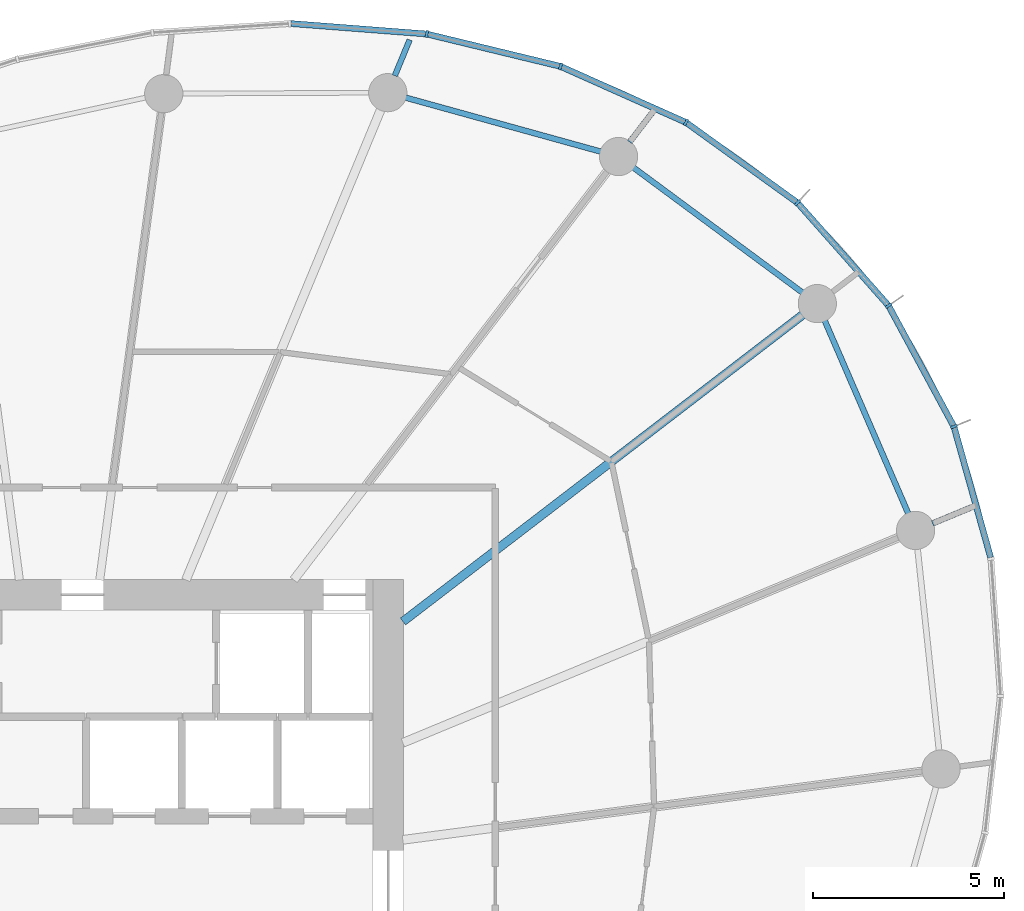
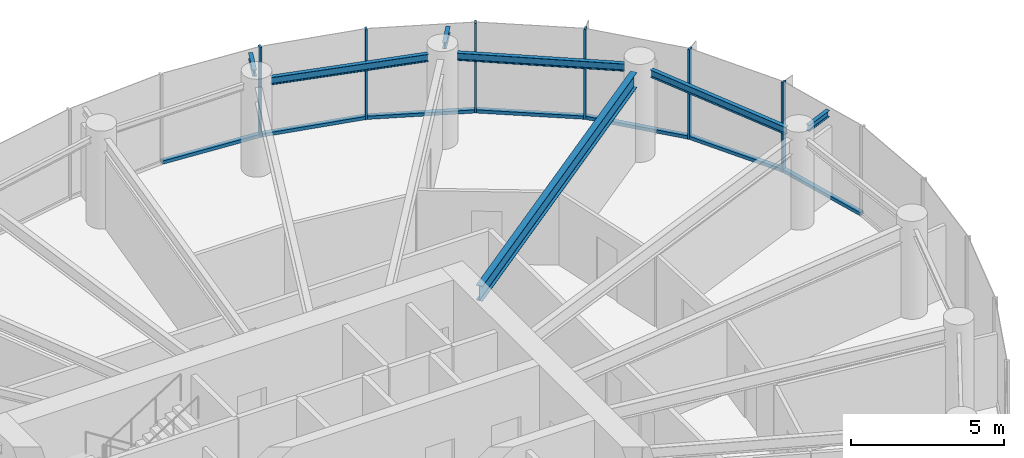
# One storey, part 6 of 14: 13 members, 7 beams, 2 elements without a shape of their own.
"""IFC4 building model written with IfcOpenShell, lengths in metres."""

import ifcopenshell
import ifcopenshell.guid

model = None  # the IFC model being written
_history = None  # IfcOwnerHistory: only IFC2X3 demands one
_inside = {}  # id of a spatial element -> (the spatial element, [elements in it])
_under = {}  # id of a project, library or spatial element -> (it, [spatial elements below it])
_declared = {}  # id of a project -> (the project, [libraries it declares])
_typed = {}  # id of a type object -> (the type object, [elements of that type])
_made_of = {}  # id of a material, layer set ... -> (it, [elements and type objects made of it])


def new_model(schema):
    """Start an empty IFC model of exactly this schema.

    Asked for "IFC4X3", IfcOpenShell would pick the latest addendum, in which some entities
    have other attributes; the version numbers below select the first issue.
    IFC2X3 requires an IfcOwnerHistory on every rooted entity: one is made here for all.
    """
    global model, _history
    if schema == "IFC4X3":
        model = ifcopenshell.file(schema_version=(4, 3, 0, 0))
    else:
        model = ifcopenshell.file(schema=schema)
    _inside.clear()
    _under.clear()
    _declared.clear()
    _typed.clear()
    _made_of.clear()
    _history = None
    if model.schema == "IFC2X3":
        org = make("IfcOrganization", Name="unknown")
        user = make(
            "IfcPersonAndOrganization",
            ThePerson=make("IfcPerson", FamilyName="unknown"),
            TheOrganization=org,
        )
        app = make(
            "IfcApplication",
            ApplicationDeveloper=org,
            Version="unknown",
            ApplicationFullName="unknown",
            ApplicationIdentifier="unknown",
        )
        _history = make(
            "IfcOwnerHistory",
            OwningUser=user,
            OwningApplication=app,
            ChangeAction="ADDED",
            CreationDate=0,
        )
    return model


def make(cls, **values):
    """One entity of the class cls with the attributes given. An attribute that is None is left unset."""
    return model.create_entity(
        cls, **{name: value for name, value in values.items() if value is not None}
    )


def rooted(cls, **values):
    """An entity with a GlobalId (a new one), such as an element, a storey or a relation."""
    return make(cls, GlobalId=ifcopenshell.guid.new(), OwnerHistory=_history, **values)


def si_unit(unit_type, name, prefix=None):
    """IfcSIUnit, for example si_unit("LENGTHUNIT", "METRE", prefix="MILLI")."""
    return make("IfcSIUnit", UnitType=unit_type, Prefix=prefix, Name=name)


def assignment(units):
    """IfcUnitAssignment: the units of a project."""
    return None if units is None else make("IfcUnitAssignment", Units=units)


def point(xyz):
    """IfcCartesianPoint."""
    return None if xyz is None else make("IfcCartesianPoint", Coordinates=xyz)


def direction(xyz):
    """IfcDirection."""
    return None if xyz is None else make("IfcDirection", DirectionRatios=xyz)


def frame(location, z_axis=None, x_axis=None):
    """IfcAxis2Placement3D, a coordinate frame: its origin and axes. An axis left out is left unset."""
    return make(
        "IfcAxis2Placement3D",
        Location=point(location),
        Axis=direction(z_axis),
        RefDirection=direction(x_axis),
    )


def frame_2d(location, x_axis=None):
    """IfcAxis2Placement2D, a coordinate frame in the plane: its origin and x axis."""
    return make(
        "IfcAxis2Placement2D", Location=point(location), RefDirection=direction(x_axis)
    )


def origin():
    """The frame at (0, 0, 0) with its axes left unset."""
    return frame((0.0, 0.0, 0.0))


def origin_2d():
    """The frame at (0, 0) in the plane with its x axis left unset."""
    return frame_2d((0.0, 0.0))


def place(relative_to, where):
    """IfcLocalPlacement: puts the frame where relative to a parent placement (None: the world)."""
    return make(
        "IfcLocalPlacement", PlacementRelTo=relative_to, RelativePlacement=where
    )


def context(
    kind, dimensions, precision=None, world=None, true_north=None, identifier=None
):
    """IfcGeometricRepresentationContext, for example the 3D "Model" context."""
    return make(
        "IfcGeometricRepresentationContext",
        ContextIdentifier=identifier,
        ContextType=kind,
        CoordinateSpaceDimension=dimensions,
        Precision=precision,
        WorldCoordinateSystem=world,
        TrueNorth=true_north,
    )


def subcontext(parent, identifier, kind, view, scale=None):
    """IfcGeometricRepresentationSubContext, for example "Body" below "Model"."""
    return make(
        "IfcGeometricRepresentationSubContext",
        ContextIdentifier=identifier,
        ContextType=kind,
        ParentContext=parent,
        TargetScale=scale,
        TargetView=view,
    )


def project(units=None, contexts=None):
    """IfcProject with its units and contexts."""
    return rooted(
        "IfcProject",
        Name="project",
        RepresentationContexts=contexts,
        UnitsInContext=assignment(units),
    )


def spatial(cls, under=None, at=None, **own):
    """A site, building, storey or space (cls), placed at a placement, below another one or the project."""
    s = rooted(cls, ObjectPlacement=at, **own)
    if under is not None:
        _under.setdefault(under.id(), (under, []))[1].append(s)
    return s


def profile(cls, at=None, kind="AREA", **sizes):
    """A parametric profile (cls). Its sizes go by their IFC names, for example OverallWidth=200.0."""
    return make(cls, ProfileType=kind, Position=at, **sizes)


def rectangle(**sizes):
    """IfcRectangleProfileDef."""
    return profile("IfcRectangleProfileDef", **sizes)


def i_section(**sizes):
    """IfcIShapeProfileDef."""
    return profile("IfcIShapeProfileDef", **sizes)


def extrude(swept, where, along, depth):
    """IfcExtrudedAreaSolid: the profile swept, set in the frame where, extruded along a direction by depth."""
    return make(
        "IfcExtrudedAreaSolid",
        SweptArea=swept,
        Position=where,
        ExtrudedDirection=direction(along),
        Depth=depth,
    )


def shape(context_of_items, identifier, shape_type, items):
    """IfcShapeRepresentation: the items that make up one representation, for example the "Body"."""
    return make(
        "IfcShapeRepresentation",
        ContextOfItems=context_of_items,
        RepresentationIdentifier=identifier,
        RepresentationType=shape_type,
        Items=items,
    )


def source(mapping_origin, context_of_items, identifier, shape_type, items):
    """IfcRepresentationMap: a shape defined once, which mapped items show again and again."""
    return make(
        "IfcRepresentationMap",
        MappingOrigin=mapping_origin,
        MappedRepresentation=shape(context_of_items, identifier, shape_type, items),
    )


def transform(
    local_origin,
    x_axis=None,
    y_axis=None,
    z_axis=None,
    scale=None,
    scale2=None,
    scale3=None,
    uniform=True,
):
    """IfcCartesianTransformationOperator3D, or its non-uniform kind. x_axis, y_axis, z_axis: its Axis1, 2, 3."""
    if uniform:
        return make(
            "IfcCartesianTransformationOperator3D",
            Axis1=direction(x_axis),
            Axis2=direction(y_axis),
            LocalOrigin=point(local_origin),
            Scale=scale,
            Axis3=direction(z_axis),
        )
    return make(
        "IfcCartesianTransformationOperator3DnonUniform",
        Axis1=direction(x_axis),
        Axis2=direction(y_axis),
        LocalOrigin=point(local_origin),
        Scale=scale,
        Axis3=direction(z_axis),
        Scale2=scale2,
        Scale3=scale3,
    )


def mapped(mapping_source, mapping_target):
    """IfcMappedItem: shows the shape of a source again, moved by a transform."""
    return make(
        "IfcMappedItem", MappingSource=mapping_source, MappingTarget=mapping_target
    )


def material(Name=None, Category=None):
    """IfcMaterial."""
    return make("IfcMaterial", Name=Name, Category=Category)


def layer(
    of_material, thickness, ventilated=None, Name=None, Category=None, Priority=None
):
    """IfcMaterialLayer: one layer of a wall or slab, of a material (None: an air gap)."""
    return make(
        "IfcMaterialLayer",
        Material=of_material,
        LayerThickness=thickness,
        IsVentilated=ventilated,
        Name=Name,
        Category=Category,
        Priority=Priority,
    )


def layer_set(layers, Name=None):
    """IfcMaterialLayerSet."""
    return make("IfcMaterialLayerSet", MaterialLayers=layers, LayerSetName=Name)


def material_profile(
    of_material, cross_section, Name=None, Category=None, Priority=None
):
    """IfcMaterialProfile: a cross section and its material."""
    return make(
        "IfcMaterialProfile",
        Name=Name,
        Material=of_material,
        Profile=cross_section,
        Priority=Priority,
        Category=Category,
    )


def profile_set(profiles, Name=None, composite=None):
    """IfcMaterialProfileSet."""
    return make(
        "IfcMaterialProfileSet",
        Name=Name,
        MaterialProfiles=profiles,
        CompositeProfile=composite,
    )


def made_of(thing, what):
    """Note that an element or type object is made of a material, layer set ...; save() writes the relation."""
    if what is not None:
        _made_of.setdefault(what.id(), (what, []))[1].append(thing)
    return thing


def type_object(cls, material=None, **own):
    """A type object (cls), such as IfcWallType, which elements share."""
    return made_of(rooted(cls, **own), material)


def element(
    cls,
    number,
    at=None,
    inside=None,
    cuts=None,
    type_object=None,
    material=None,
    context=None,
    identifier="Body",
    shape_type=None,
    held_by="IfcProductDefinitionShape",
    body=None,
    shapes=None,
    **own,
):
    """One element of the class cls, such as IfcWall. Its Tag is "e" and its number.

    at: its placement. inside: the storey or other place that contains it. cuts: it is an
    opening in that element (IfcRelVoidsElement). A single representation is given by context,
    identifier, shape_type and body (its items); several are given by shapes. held_by: the class
    of the entity that holds the representations. save() writes the other relations.
    """
    e = rooted(cls, Tag="e%d" % number, ObjectPlacement=at, **own)
    if body is not None:
        shapes = [shape(context, identifier, shape_type, body)]
    if shapes is not None:
        e.Representation = make(held_by, Representations=shapes)
    if inside is not None:
        _inside.setdefault(inside.id(), (inside, []))[1].append(e)
    if cuts is not None:
        rooted(
            "IfcRelVoidsElement", RelatingBuildingElement=cuts, RelatedOpeningElement=e
        )
    if type_object is not None:
        _typed.setdefault(type_object.id(), (type_object, []))[1].append(e)
    return made_of(e, material)


def aggregate(whole, parts):
    """IfcRelAggregates: a whole, such as a stair, and the parts it consists of."""
    return rooted("IfcRelAggregates", RelatingObject=whole, RelatedObjects=parts)


def save(model, path):
    """Write the relations noted so far, then the file.

    IfcRelAggregates (storeys below a building ...), IfcRelContainedInSpatialStructure (elements
    in a storey), IfcRelDefinesByType, IfcRelAssociatesMaterial and IfcRelDeclares: one each for
    every whole, place, type object, material and project.
    """
    for whole, parts in _under.values():
        aggregate(whole, parts)
    for where, things in _inside.values():
        rooted(
            "IfcRelContainedInSpatialStructure",
            RelatedElements=things,
            RelatingStructure=where,
        )
    for kind, things in _typed.values():
        rooted("IfcRelDefinesByType", RelatedObjects=things, RelatingType=kind)
    for what, things in _made_of.values():
        rooted("IfcRelAssociatesMaterial", RelatedObjects=things, RelatingMaterial=what)
    for by, libraries in _declared.values():
        rooted("IfcRelDeclares", RelatingContext=by, RelatedDefinitions=libraries)
    model.write(path)


model = new_model("IFC4")

# Units and contexts
model_context = context("Model", 3, precision=1e-05, world=origin(), true_north=direction((0.0, 1.0)))
body_context = subcontext(model_context, "Body", "Model", "MODEL_VIEW")
ifc_project = project(units=[si_unit("LENGTHUNIT", "METRE"), si_unit("AREAUNIT", "SQUARE_METRE"), si_unit("VOLUMEUNIT", "CUBIC_METRE"), si_unit("PLANEANGLEUNIT", "RADIAN"), si_unit("MASSUNIT", "GRAM", prefix="KILO")], contexts=[model_context])

# Site, building, storey
site_placement = place(None, origin())
site = spatial("IfcSite", under=ifc_project, at=site_placement, CompositionType="ELEMENT")
building_placement = place(site_placement, origin())
building = spatial("IfcBuilding", under=site, at=building_placement, Name="Spindrift Exchange Tower", CompositionType="ELEMENT")
storey_placement = place(building_placement, frame((0.0, 0.0, 164.300048828125)))
storey = spatial("IfcBuildingStorey", under=building, at=storey_placement, Name="L39", CompositionType="ELEMENT", Elevation=164.300048828125)

# Beams
ifc_material_1 = material(Name="Steel Grade 300", Category="steel")
ifc_material_profile_1 = material_profile(ifc_material_1, i_section(OverallWidth=0.14892578125, OverallDepth=0.298095703125, WebThickness=0.005615234375, FlangeThickness=0.008056640625, FilletRadius=0.012939453125, at=origin_2d()), Name="310UB32.0")
ifc_profile_set_1 = profile_set([ifc_material_profile_1], Name="Steel Grade 300")
beam_type_1 = type_object("IfcBeamType", Name="Edge Beam 310UB32.0 Steel Grade 300", PredefinedType="SPANDREL", material=ifc_profile_set_1)
shared_shape_1 = source(origin(), body_context, "Body", "SweptSolid", [
    extrude(i_section(OverallWidth=0.14892578125, OverallDepth=0.298095703125, WebThickness=0.005615234375, FlangeThickness=0.008056640625, FilletRadius=0.012939453125, at=origin_2d()), origin(), (0.0, 0.0, 1.0), 5.508544921875),
])
beam_1_placement = place(storey_placement, frame((74.205810546875, 57.717529296875, 3.430908203125), z_axis=(-0.397414644433, 0.917639144975, 0.0), x_axis=(-0.917639144975, -0.397414644433, 0.0)))
element("IfcBeam", 1, at=beam_1_placement, inside=storey, type_object=beam_type_1, Name="L39 edge beam E02", PredefinedType="SPANDREL", context=body_context, shape_type="MappedRepresentation", body=[
    mapped(shared_shape_1, transform((0.0, 0.0, 0.0), scale=1.0)),
])
shared_shape_2 = source(origin(), body_context, "Body", "SweptSolid", [
    extrude(i_section(OverallWidth=0.14892578125, OverallDepth=0.298095703125, WebThickness=0.005615234375, FlangeThickness=0.008056640625, FilletRadius=0.012939453125, at=origin_2d()), origin(), (0.0, 0.0, 1.0), 5.509033203125),
])
beam_2_placement = place(storey_placement, frame((71.43994140625, 63.498291015625, 3.430908203125), z_axis=(-0.803991901791, 0.594640245741, 0.0), x_axis=(-0.594640245741, -0.803991901791, 0.0)))
element("IfcBeam", 2, at=beam_2_placement, inside=storey, type_object=beam_type_1, Name="L39 edge beam E03", PredefinedType="SPANDREL", context=body_context, shape_type="MappedRepresentation", body=[
    mapped(shared_shape_2, transform((0.0, 0.0, 0.0), scale=1.0)),
])
shared_shape_3 = source(origin(), body_context, "Body", "SweptSolid", [
    extrude(i_section(OverallWidth=0.14892578125, OverallDepth=0.298095703125, WebThickness=0.005615234375, FlangeThickness=0.008056640625, FilletRadius=0.012939453125, at=origin_2d()), origin(), (0.0, 0.0, 1.0), 5.30517578125),
])
beam_3_placement = place(storey_placement, frame((66.162353515625, 67.1875, 3.430908203125), z_axis=(-0.963757513624, 0.26677978734, 0.0), x_axis=(-0.26677978734, -0.963757513624, 0.0)))
element("IfcBeam", 3, at=beam_3_placement, inside=storey, type_object=beam_type_1, Name="L39 edge beam E04", PredefinedType="SPANDREL", context=body_context, shape_type="MappedRepresentation", body=[
    mapped(shared_shape_3, transform((0.0, 0.0, 0.0), scale=1.0)),
])
ifc_material_profile_2 = material_profile(ifc_material_1, i_section(OverallWidth=0.22802734375, OverallDepth=0.60205078125, WebThickness=0.010498046875, FlangeThickness=0.014892578125, FilletRadius=0.013916015625, at=origin_2d()), Name="610UB101")
ifc_profile_set_2 = profile_set([ifc_material_profile_2], Name="Steel Grade 300")
beam_type_2 = type_object("IfcBeamType", Name="Floor Beam 610UB101 Steel Grade 300", PredefinedType="BEAM", material=ifc_profile_set_2)
shared_shape_4 = source(origin(), body_context, "Body", "SweptSolid", [
    extrude(i_section(OverallWidth=0.22802734375, OverallDepth=0.60205078125, WebThickness=0.010498046875, FlangeThickness=0.014892578125, FilletRadius=0.013916015625, at=origin_2d()), origin(), (0.0, 0.0, 1.0), 13.185546875),
])
beam_4_placement = place(storey_placement, frame((60.984130859375, 54.893798828125, 3.279052734375), z_axis=(0.793357156703, 0.608756455332, 0.0), x_axis=(-0.608756455332, 0.793357156703, 0.0)))
element("IfcBeam", 4, at=beam_4_placement, inside=storey, type_object=beam_type_2, Name="L39 radial beam R03A", PredefinedType="BEAM", context=body_context, shape_type="MappedRepresentation", body=[
    mapped(shared_shape_4, transform((0.0, 0.0, 0.0), scale=1.0)),
])
ifc_material_profile_3 = material_profile(ifc_material_1, i_section(OverallWidth=0.14599609375, OverallDepth=0.251953125, WebThickness=0.006103515625, FlangeThickness=0.008544921875, FilletRadius=0.011962890625, at=origin_2d()), Name="250UB31.4")
ifc_profile_set_3 = profile_set([ifc_material_profile_3], Name="Steel Grade 300")
beam_type_3 = type_object("IfcBeamType", Name="Cantilever Beam 250UB31.4 Steel Grade 300", PredefinedType="BEAM", material=ifc_profile_set_3)
shared_shape_5 = source(origin(), body_context, "Body", "SweptSolid", [
    extrude(i_section(OverallWidth=0.14599609375, OverallDepth=0.251953125, WebThickness=0.006103515625, FlangeThickness=0.008544921875, FilletRadius=0.011962890625, at=origin_2d()), origin(), (0.0, 0.0, 1.0), 1.092041015625),
])
beam_5_placement = place(storey_placement, frame((74.840087890625, 57.460693359375, 3.453857421875), z_axis=(0.923842410219, 0.382773041214, 0.0), x_axis=(-0.382773041214, 0.923842410219, 0.0)))
element("IfcBeam", 5, at=beam_5_placement, inside=storey, type_object=beam_type_3, Name="L39 cantilever beam R02T", PredefinedType="BEAM", context=body_context, shape_type="MappedRepresentation", body=[
    mapped(shared_shape_5, transform((0.0, 0.0, 0.0), scale=1.0)),
])
shared_shape_6 = source(origin(), body_context, "Body", "SweptSolid", [
    extrude(i_section(OverallWidth=0.14599609375, OverallDepth=0.251953125, WebThickness=0.006103515625, FlangeThickness=0.008544921875, FilletRadius=0.011962890625, at=origin_2d()), origin(), (0.0, 0.0, 1.0), 0.938232421875),
])
beam_6_placement = place(storey_placement, frame((66.9169921875, 67.440185546875, 3.453857421875), z_axis=(0.608666429763, 0.793426226741, 0.0), x_axis=(-0.793426226741, 0.608666429763, 0.0)))
element("IfcBeam", 6, at=beam_6_placement, inside=storey, type_object=beam_type_3, Name="L39 cantilever beam R04T", PredefinedType="BEAM", context=body_context, shape_type="MappedRepresentation", body=[
    mapped(shared_shape_6, transform((0.0, 0.0, 0.0), scale=1.0)),
])
shared_shape_7 = source(origin(), body_context, "Body", "SweptSolid", [
    extrude(i_section(OverallWidth=0.14599609375, OverallDepth=0.251953125, WebThickness=0.006103515625, FlangeThickness=0.008544921875, FilletRadius=0.011962890625, at=origin_2d()), origin(), (0.0, 0.0, 1.0), 1.015380859375),
])
beam_7_placement = place(storey_placement, frame((60.770751953125, 69.17431640625, 3.453857421875), z_axis=(0.382514591676, 0.923949450541, 0.0), x_axis=(-0.923949450541, 0.382514591676, 0.0)))
element("IfcBeam", 7, at=beam_7_placement, inside=storey, type_object=beam_type_3, Name="L39 cantilever beam R05T", PredefinedType="BEAM", context=body_context, shape_type="MappedRepresentation", body=[
    mapped(shared_shape_7, transform((0.0, 0.0, 0.0), scale=1.0)),
])

# Curtain wall, members
ifc_material_2 = material(Name="Fritted laminated glass with bronze frame", Category="glass")
ifc_layer = layer(ifc_material_2, 0.179931640625)
ifc_layer_set = layer_set([ifc_layer], Name="ZONE 3 BRONZE FRITTED WALL")
curtain_wall_type = type_object("IfcCurtainWallType", Name="ZONE 3 BRONZE FRITTED WALL", PredefinedType="NOTDEFINED", material=ifc_layer_set)
curtain_wall_1_placement = place(storey_placement, origin())
curtain_wall_1 = element("IfcCurtainWall", 8, at=curtain_wall_1_placement, inside=storey, type_object=curtain_wall_type, Name="L39 Zone 3 Bronze Fritted Wall run 1", PredefinedType="NOTDEFINED")
ifc_material_3 = material(Name="Bronze anodised aluminium", Category="aluminium")
ifc_material_profile_4 = material_profile(ifc_material_3, rectangle(XDim=0.070068359375, YDim=0.179931640625, at=origin_2d()), Name="ZONE 3 BRONZE FRITTED WALL MULLION 70X180")
ifc_profile_set_4 = profile_set([ifc_material_profile_4], Name="Bronze anodised aluminium")
member_type_1 = type_object("IfcMemberType", Name="ZONE 3 BRONZE FRITTED WALL MULLION 70X180", PredefinedType="MULLION", material=ifc_profile_set_4)
shared_shape_8 = source(origin(), body_context, "Body", "SweptSolid", [
    extrude(rectangle(XDim=0.070068359375, YDim=0.179931640625, at=origin_2d()), origin(), (0.0, 0.0, 1.0), 3.579833984375),
])
member_1_placement = place(storey_placement, frame((73.689697265625, 63.158203125, 0.0), z_axis=(0.0, 0.0, 1.0), x_axis=(-0.572837681891, 0.819668829592, 0.0)))
member_1 = element("IfcMember", 9, at=member_1_placement, type_object=member_type_1, Name="L39 mullion CW-3.1", PredefinedType="MULLION", context=body_context, shape_type="MappedRepresentation", body=[
    mapped(shared_shape_8, transform((0.0, 0.0, 0.0), scale=1.0)),
])
member_2_placement = place(storey_placement, frame((71.307373046875, 65.850341796875, 0.0), z_axis=(0.0, 0.0, 1.0), x_axis=(-0.741568278552, 0.6708774018, 0.0)))
member_2 = element("IfcMember", 10, at=member_2_placement, type_object=member_type_1, Name="L39 mullion CW-3.2", PredefinedType="MULLION", context=body_context, shape_type="MappedRepresentation", body=[
    mapped(shared_shape_8, transform((0.0, 0.0, 0.0), scale=1.0)),
])
member_3_placement = place(storey_placement, frame((68.39013671875, 67.952392578125, 0.0), z_axis=(0.0, 0.0, 1.0), x_axis=(-0.866734768855, 0.4987693259, 0.0)))
member_3 = element("IfcMember", 11, at=member_3_placement, type_object=member_type_1, Name="L39 mullion CW-3.3", PredefinedType="MULLION", context=body_context, shape_type="MappedRepresentation", body=[
    mapped(shared_shape_8, transform((0.0, 0.0, 0.0), scale=1.0)),
])
member_4_placement = place(storey_placement, frame((65.105712890625, 69.4189453125, 0.0), z_axis=(0.0, 0.0, 1.0), x_axis=(-0.946426134121, 0.322920381289, 0.0)))
member_4 = element("IfcMember", 12, at=member_4_placement, type_object=member_type_1, Name="L39 mullion CW-3.4", PredefinedType="MULLION", context=body_context, shape_type="MappedRepresentation", body=[
    mapped(shared_shape_8, transform((0.0, 0.0, 0.0), scale=1.0)),
])
member_5_placement = place(storey_placement, frame((61.60888671875, 70.26611328125, 0.0), z_axis=(0.0, 0.0, 1.0), x_axis=(-0.987672476724, 0.156534592734, 0.0)))
member_5 = element("IfcMember", 13, at=member_5_placement, type_object=member_type_1, Name="L39 mullion CW-3.5", PredefinedType="MULLION", context=body_context, shape_type="MappedRepresentation", body=[
    mapped(shared_shape_8, transform((0.0, 0.0, 0.0), scale=1.0)),
])

# Curtain wall, member
curtain_wall_2_placement = place(storey_placement, origin())
curtain_wall_2 = element("IfcCurtainWall", 14, at=curtain_wall_2_placement, inside=storey, type_object=curtain_wall_type, Name="L39 Zone 3 Bronze Fritted Wall run 7", PredefinedType="NOTDEFINED")
member_6_placement = place(storey_placement, frame((75.39892578125, 59.995849609375, 0.0), z_axis=(0.0, 0.0, 1.0), x_axis=(-0.375124264738, 0.926974533633, 0.0)))
member_6 = element("IfcMember", 15, at=member_6_placement, type_object=member_type_1, Name="L39 mullion CW-3.41", PredefinedType="MULLION", context=body_context, shape_type="MappedRepresentation", body=[
    mapped(shared_shape_8, transform((0.0, 0.0, 0.0), scale=1.0)),
])

# Member
ifc_material_profile_5 = material_profile(ifc_material_3, rectangle(XDim=0.159912109375, YDim=0.1298828125, at=origin_2d()), Name="ZONE 3 BRONZE FRITTED WALL TRANSOM 160X130")
ifc_profile_set_5 = profile_set([ifc_material_profile_5], Name="Bronze anodised aluminium")
member_type_2 = type_object("IfcMemberType", Name="ZONE 3 BRONZE FRITTED WALL TRANSOM 160X130", PredefinedType="USERDEFINED", material=ifc_profile_set_5)
shared_shape_9 = source(origin(), body_context, "Body", "SweptSolid", [
    extrude(rectangle(XDim=0.159912109375, YDim=0.1298828125, at=origin_2d()), origin(), (0.0, 0.0, 1.0), 3.529296875),
])
member_7_placement = place(storey_placement, frame((61.573974609375, 70.268798828125, 0.06494140625), z_axis=(-0.997058146714, 0.076648888265, 0.0), x_axis=(-0.076648888265, -0.997058146714, 0.0)))
member_7 = element("IfcMember", 16, at=member_7_placement, type_object=member_type_2, Name="L39 transom CW-3.5", ObjectType="TRANSOM", PredefinedType="USERDEFINED", context=body_context, shape_type="MappedRepresentation", body=[
    mapped(shared_shape_9, transform((0.0, 0.0, 0.0), scale=1.0)),
])

shared_shape_10 = source(origin(), body_context, "Body", "SweptSolid", [
    extrude(rectangle(XDim=0.159912109375, YDim=0.1298828125, at=origin_2d()), origin(), (0.0, 0.0, 1.0), 3.52490234375),
])
member_8_placement = place(storey_placement, frame((73.66650390625, 63.1845703125, 0.06494140625), z_axis=(-0.662711363024, 0.748874922346, 0.0), x_axis=(-0.748874922346, -0.662711363024, 0.0)))
member_8 = element("IfcMember", 17, at=member_8_placement, type_object=member_type_2, Name="L39 transom CW-3.1", ObjectType="TRANSOM", PredefinedType="USERDEFINED", context=body_context, shape_type="MappedRepresentation", body=[
    mapped(shared_shape_10, transform((0.0, 0.0, 0.0), scale=1.0)),
])

member_9_placement = place(storey_placement, frame((75.38232421875, 60.026611328125, 0.06494140625), z_axis=(-0.475495303664, 0.879718259554, 0.0), x_axis=(-0.879718259554, -0.475495303664, 0.0)))
member_9 = element("IfcMember", 18, at=member_9_placement, type_object=member_type_2, Name="L39 transom CW-3.41", ObjectType="TRANSOM", PredefinedType="USERDEFINED", context=body_context, shape_type="MappedRepresentation", body=[
    mapped(shared_shape_10, transform((0.0, 0.0, 0.0), scale=1.0)),
])

shared_shape_11 = source(origin(), body_context, "Body", "SweptSolid", [
    extrude(rectangle(XDim=0.159912109375, YDim=0.1298828125, at=origin_2d()), origin(), (0.0, 0.0, 1.0), 3.527099609375),
])
member_10_placement = place(storey_placement, frame((68.358154296875, 67.966552734375, 0.06494140625), z_axis=(-0.913082199694, 0.407775546842, 0.0), x_axis=(-0.407775546842, -0.913082199694, 0.0)))
member_10 = element("IfcMember", 19, at=member_10_placement, type_object=member_type_2, Name="L39 transom CW-3.3", ObjectType="TRANSOM", PredefinedType="USERDEFINED", context=body_context, shape_type="MappedRepresentation", body=[
    mapped(shared_shape_11, transform((0.0, 0.0, 0.0), scale=1.0)),
])

shared_shape_12 = source(origin(), body_context, "Body", "SweptSolid", [
    extrude(rectangle(XDim=0.159912109375, YDim=0.1298828125, at=origin_2d()), origin(), (0.0, 0.0, 1.0), 3.528076171875),
])
member_11_placement = place(storey_placement, frame((65.07177734375, 69.42724609375, 0.06494140625), z_axis=(-0.971895220029, 0.235413851089, 0.0), x_axis=(-0.235413851089, -0.971895220029, 0.0)))
member_11 = element("IfcMember", 20, at=member_11_placement, type_object=member_type_2, Name="L39 transom CW-3.4", ObjectType="TRANSOM", PredefinedType="USERDEFINED", context=body_context, shape_type="MappedRepresentation", body=[
    mapped(shared_shape_12, transform((0.0, 0.0, 0.0), scale=1.0)),
])

shared_shape_13 = source(origin(), body_context, "Body", "SweptSolid", [
    extrude(rectangle(XDim=0.159912109375, YDim=0.1298828125, at=origin_2d()), origin(), (0.0, 0.0, 1.0), 3.525634765625),
])
member_12_placement = place(storey_placement, frame((71.279052734375, 65.870849609375, 0.06494140625), z_axis=(-0.811321505619, 0.584600217688, 0.0), x_axis=(-0.584600217688, -0.811321505619, 0.0)))
member_12 = element("IfcMember", 21, at=member_12_placement, type_object=member_type_2, Name="L39 transom CW-3.2", ObjectType="TRANSOM", PredefinedType="USERDEFINED", context=body_context, shape_type="MappedRepresentation", body=[
    mapped(shared_shape_13, transform((0.0, 0.0, 0.0), scale=1.0)),
])

aggregate(curtain_wall_1, [member_1, member_8, member_2, member_12, member_3, member_10, member_4, member_11, member_5, member_7])

member_13_placement = place(storey_placement, frame((76.36083984375, 56.567626953125, 0.06494140625), z_axis=(-0.270135890813, 0.962822206066, 0.0), x_axis=(-0.962822206066, -0.270135890813, 0.0)))
member_13 = element("IfcMember", 22, at=member_13_placement, type_object=member_type_2, Name="L39 transom CW-3.40", ObjectType="TRANSOM", PredefinedType="USERDEFINED", context=body_context, shape_type="MappedRepresentation", body=[
    mapped(shared_shape_13, transform((0.0, 0.0, 0.0), scale=1.0)),
])

aggregate(curtain_wall_2, [member_13, member_6, member_9])

save(model, "model.ifc")
